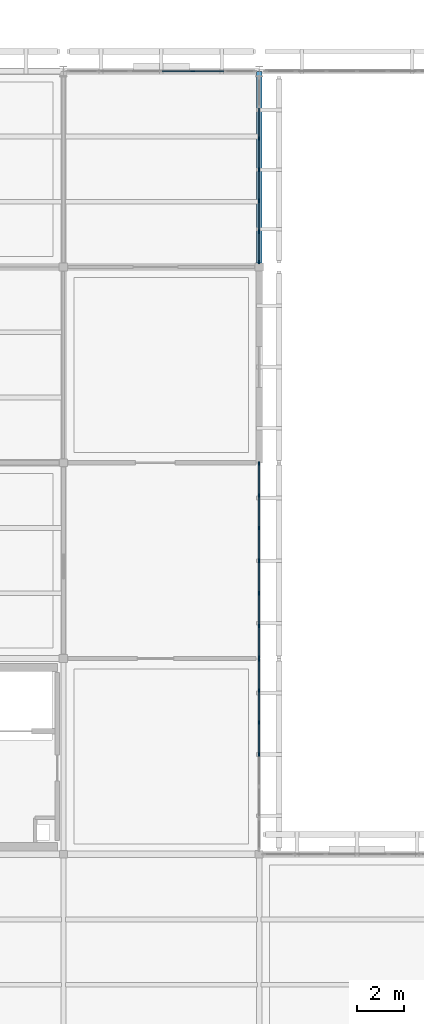
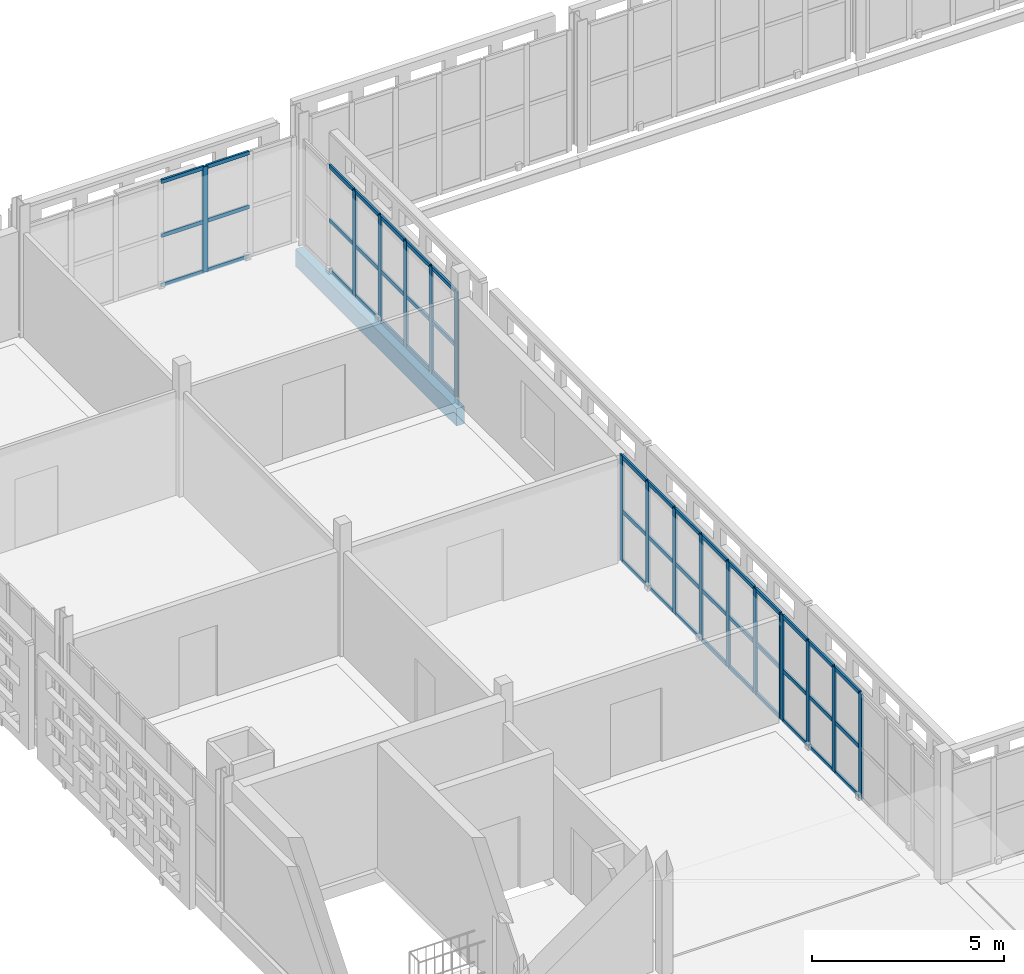
# One storey, part 58 of 140: 65 members, 1 beam, 4 elements without a shape of their own.
"""IFC4 building model written with IfcOpenShell, lengths in metres."""

import ifcopenshell
import ifcopenshell.guid

model = None  # the IFC model being written
_history = None  # IfcOwnerHistory: only IFC2X3 demands one
_inside = {}  # id of a spatial element -> (the spatial element, [elements in it])
_under = {}  # id of a project, library or spatial element -> (it, [spatial elements below it])
_declared = {}  # id of a project -> (the project, [libraries it declares])
_typed = {}  # id of a type object -> (the type object, [elements of that type])
_made_of = {}  # id of a material, layer set ... -> (it, [elements and type objects made of it])


def new_model(schema):
    """Start an empty IFC model of exactly this schema.

    Asked for "IFC4X3", IfcOpenShell would pick the latest addendum, in which some entities
    have other attributes; the version numbers below select the first issue.
    IFC2X3 requires an IfcOwnerHistory on every rooted entity: one is made here for all.
    """
    global model, _history
    if schema == "IFC4X3":
        model = ifcopenshell.file(schema_version=(4, 3, 0, 0))
    else:
        model = ifcopenshell.file(schema=schema)
    _inside.clear()
    _under.clear()
    _declared.clear()
    _typed.clear()
    _made_of.clear()
    _history = None
    if model.schema == "IFC2X3":
        org = make("IfcOrganization", Name="unknown")
        user = make(
            "IfcPersonAndOrganization",
            ThePerson=make("IfcPerson", FamilyName="unknown"),
            TheOrganization=org,
        )
        app = make(
            "IfcApplication",
            ApplicationDeveloper=org,
            Version="unknown",
            ApplicationFullName="unknown",
            ApplicationIdentifier="unknown",
        )
        _history = make(
            "IfcOwnerHistory",
            OwningUser=user,
            OwningApplication=app,
            ChangeAction="ADDED",
            CreationDate=0,
        )
    return model


def make(cls, **values):
    """One entity of the class cls with the attributes given. An attribute that is None is left unset."""
    return model.create_entity(
        cls, **{name: value for name, value in values.items() if value is not None}
    )


def rooted(cls, **values):
    """An entity with a GlobalId (a new one), such as an element, a storey or a relation."""
    return make(cls, GlobalId=ifcopenshell.guid.new(), OwnerHistory=_history, **values)


def si_unit(unit_type, name, prefix=None):
    """IfcSIUnit, for example si_unit("LENGTHUNIT", "METRE", prefix="MILLI")."""
    return make("IfcSIUnit", UnitType=unit_type, Prefix=prefix, Name=name)


def assignment(units):
    """IfcUnitAssignment: the units of a project."""
    return None if units is None else make("IfcUnitAssignment", Units=units)


def point(xyz):
    """IfcCartesianPoint."""
    return None if xyz is None else make("IfcCartesianPoint", Coordinates=xyz)


def direction(xyz):
    """IfcDirection."""
    return None if xyz is None else make("IfcDirection", DirectionRatios=xyz)


def frame(location, z_axis=None, x_axis=None):
    """IfcAxis2Placement3D, a coordinate frame: its origin and axes. An axis left out is left unset."""
    return make(
        "IfcAxis2Placement3D",
        Location=point(location),
        Axis=direction(z_axis),
        RefDirection=direction(x_axis),
    )


def frame_2d(location, x_axis=None):
    """IfcAxis2Placement2D, a coordinate frame in the plane: its origin and x axis."""
    return make(
        "IfcAxis2Placement2D", Location=point(location), RefDirection=direction(x_axis)
    )


def origin():
    """The frame at (0, 0, 0) with its axes left unset."""
    return frame((0.0, 0.0, 0.0))


def origin_2d():
    """The frame at (0, 0) in the plane with its x axis left unset."""
    return frame_2d((0.0, 0.0))


def place(relative_to, where):
    """IfcLocalPlacement: puts the frame where relative to a parent placement (None: the world)."""
    return make(
        "IfcLocalPlacement", PlacementRelTo=relative_to, RelativePlacement=where
    )


def context(
    kind, dimensions, precision=None, world=None, true_north=None, identifier=None
):
    """IfcGeometricRepresentationContext, for example the 3D "Model" context."""
    return make(
        "IfcGeometricRepresentationContext",
        ContextIdentifier=identifier,
        ContextType=kind,
        CoordinateSpaceDimension=dimensions,
        Precision=precision,
        WorldCoordinateSystem=world,
        TrueNorth=true_north,
    )


def subcontext(parent, identifier, kind, view, scale=None):
    """IfcGeometricRepresentationSubContext, for example "Body" below "Model"."""
    return make(
        "IfcGeometricRepresentationSubContext",
        ContextIdentifier=identifier,
        ContextType=kind,
        ParentContext=parent,
        TargetScale=scale,
        TargetView=view,
    )


def project(units=None, contexts=None):
    """IfcProject with its units and contexts."""
    return rooted(
        "IfcProject",
        Name="project",
        RepresentationContexts=contexts,
        UnitsInContext=assignment(units),
    )


def spatial(cls, under=None, at=None, **own):
    """A site, building, storey or space (cls), placed at a placement, below another one or the project."""
    s = rooted(cls, ObjectPlacement=at, **own)
    if under is not None:
        _under.setdefault(under.id(), (under, []))[1].append(s)
    return s


def profile(cls, at=None, kind="AREA", **sizes):
    """A parametric profile (cls). Its sizes go by their IFC names, for example OverallWidth=200.0."""
    return make(cls, ProfileType=kind, Position=at, **sizes)


def rectangle(**sizes):
    """IfcRectangleProfileDef."""
    return profile("IfcRectangleProfileDef", **sizes)


def extrude(swept, where, along, depth):
    """IfcExtrudedAreaSolid: the profile swept, set in the frame where, extruded along a direction by depth."""
    return make(
        "IfcExtrudedAreaSolid",
        SweptArea=swept,
        Position=where,
        ExtrudedDirection=direction(along),
        Depth=depth,
    )


def shape(context_of_items, identifier, shape_type, items):
    """IfcShapeRepresentation: the items that make up one representation, for example the "Body"."""
    return make(
        "IfcShapeRepresentation",
        ContextOfItems=context_of_items,
        RepresentationIdentifier=identifier,
        RepresentationType=shape_type,
        Items=items,
    )


def material(Name=None, Category=None):
    """IfcMaterial."""
    return make("IfcMaterial", Name=Name, Category=Category)


def layer(
    of_material, thickness, ventilated=None, Name=None, Category=None, Priority=None
):
    """IfcMaterialLayer: one layer of a wall or slab, of a material (None: an air gap)."""
    return make(
        "IfcMaterialLayer",
        Material=of_material,
        LayerThickness=thickness,
        IsVentilated=ventilated,
        Name=Name,
        Category=Category,
        Priority=Priority,
    )


def layer_set(layers, Name=None):
    """IfcMaterialLayerSet."""
    return make("IfcMaterialLayerSet", MaterialLayers=layers, LayerSetName=Name)


def material_profile(
    of_material, cross_section, Name=None, Category=None, Priority=None
):
    """IfcMaterialProfile: a cross section and its material."""
    return make(
        "IfcMaterialProfile",
        Name=Name,
        Material=of_material,
        Profile=cross_section,
        Priority=Priority,
        Category=Category,
    )


def profile_set(profiles, Name=None, composite=None):
    """IfcMaterialProfileSet."""
    return make(
        "IfcMaterialProfileSet",
        Name=Name,
        MaterialProfiles=profiles,
        CompositeProfile=composite,
    )


def made_of(thing, what):
    """Note that an element or type object is made of a material, layer set ...; save() writes the relation."""
    if what is not None:
        _made_of.setdefault(what.id(), (what, []))[1].append(thing)
    return thing


def type_object(cls, material=None, **own):
    """A type object (cls), such as IfcWallType, which elements share."""
    return made_of(rooted(cls, **own), material)


def element(
    cls,
    number,
    at=None,
    inside=None,
    cuts=None,
    type_object=None,
    material=None,
    context=None,
    identifier="Body",
    shape_type=None,
    held_by="IfcProductDefinitionShape",
    body=None,
    shapes=None,
    **own,
):
    """One element of the class cls, such as IfcWall. Its Tag is "e" and its number.

    at: its placement. inside: the storey or other place that contains it. cuts: it is an
    opening in that element (IfcRelVoidsElement). A single representation is given by context,
    identifier, shape_type and body (its items); several are given by shapes. held_by: the class
    of the entity that holds the representations. save() writes the other relations.
    """
    e = rooted(cls, Tag="e%d" % number, ObjectPlacement=at, **own)
    if body is not None:
        shapes = [shape(context, identifier, shape_type, body)]
    if shapes is not None:
        e.Representation = make(held_by, Representations=shapes)
    if inside is not None:
        _inside.setdefault(inside.id(), (inside, []))[1].append(e)
    if cuts is not None:
        rooted(
            "IfcRelVoidsElement", RelatingBuildingElement=cuts, RelatedOpeningElement=e
        )
    if type_object is not None:
        _typed.setdefault(type_object.id(), (type_object, []))[1].append(e)
    return made_of(e, material)


def aggregate(whole, parts):
    """IfcRelAggregates: a whole, such as a stair, and the parts it consists of."""
    return rooted("IfcRelAggregates", RelatingObject=whole, RelatedObjects=parts)


def save(model, path):
    """Write the relations noted so far, then the file.

    IfcRelAggregates (storeys below a building ...), IfcRelContainedInSpatialStructure (elements
    in a storey), IfcRelDefinesByType, IfcRelAssociatesMaterial and IfcRelDeclares: one each for
    every whole, place, type object, material and project.
    """
    for whole, parts in _under.values():
        aggregate(whole, parts)
    for where, things in _inside.values():
        rooted(
            "IfcRelContainedInSpatialStructure",
            RelatedElements=things,
            RelatingStructure=where,
        )
    for kind, things in _typed.values():
        rooted("IfcRelDefinesByType", RelatedObjects=things, RelatingType=kind)
    for what, things in _made_of.values():
        rooted("IfcRelAssociatesMaterial", RelatedObjects=things, RelatingMaterial=what)
    for by, libraries in _declared.values():
        rooted("IfcRelDeclares", RelatingContext=by, RelatedDefinitions=libraries)
    model.write(path)


model = new_model("IFC4")

# Units and contexts
model_context = context("Model", 3, precision=1e-05, world=origin(), true_north=direction((0.0, 1.0)))
body_context = subcontext(model_context, "Body", "Model", "MODEL_VIEW")
ifc_project = project(units=[si_unit("LENGTHUNIT", "METRE"), si_unit("AREAUNIT", "SQUARE_METRE"), si_unit("VOLUMEUNIT", "CUBIC_METRE"), si_unit("PLANEANGLEUNIT", "RADIAN"), si_unit("MASSUNIT", "GRAM", prefix="KILO")], contexts=[model_context])

# Site, building, storey
site_placement = place(None, origin())
site = spatial("IfcSite", under=ifc_project, at=site_placement, CompositionType="ELEMENT")
building_placement = place(site_placement, origin())
building = spatial("IfcBuilding", under=site, at=building_placement, Name="Varnapada Polytechnic", CompositionType="ELEMENT")
storey_placement = place(building_placement, frame((0.0, 0.0, 13.800048828125)))
storey = spatial("IfcBuildingStorey", under=building, at=storey_placement, Name="L03", CompositionType="ELEMENT", Elevation=13.800048828125)

# Curtain wall, members
ifc_material_1 = material(Name="Double low-E laminated glass", Category="glass")
ifc_layer = layer(ifc_material_1, 0.159912109375)
ifc_layer_set = layer_set([ifc_layer], Name="Double low-E laminated glass")
curtain_wall_type = type_object("IfcCurtainWallType", Name="Curtain Wall CW-02", PredefinedType="NOTDEFINED", material=ifc_layer_set)
curtain_wall_1_placement = place(storey_placement, origin())
curtain_wall_1 = element("IfcCurtainWall", 1, at=curtain_wall_1_placement, inside=storey, type_object=curtain_wall_type, Name="L03 unitised curtain wall CW-02 (230)", PredefinedType="NOTDEFINED")
ifc_material_2 = material(Name="Anodised aluminium", Category="aluminium")
ifc_material_profile_1 = material_profile(ifc_material_2, rectangle(XDim=0.06005859375, YDim=0.159912109375, at=origin_2d()), Name="ALU M60x160")
ifc_profile_set_1 = profile_set([ifc_material_profile_1], Name="Anodised aluminium")
member_type_1 = type_object("IfcMemberType", Name="Mullion M-01", PredefinedType="MULLION", material=ifc_profile_set_1)
member_1_placement = place(storey_placement, frame((67.199951171875, 100.77001953125, 0.0), z_axis=(0.0, 0.0, 1.0), x_axis=(1.0, 0.0, 0.0)))
member_1 = element("IfcMember", 2, at=member_1_placement, type_object=member_type_1, Name="CW-02 mullion 1", PredefinedType="MULLION", context=body_context, shape_type="SweptSolid", body=[
    extrude(rectangle(XDim=0.06005859375, YDim=0.159912109375, at=origin_2d()), origin(), (0.0, 0.0, 1.0), 3.35986328125),
])
member_2_placement = place(storey_placement, frame((67.199951171875, 99.42822265625, 0.0), z_axis=(0.0, 0.0, 1.0), x_axis=(1.0, 0.0, 0.0)))
member_2 = element("IfcMember", 3, at=member_2_placement, type_object=member_type_1, Name="CW-02 mullion 2", PredefinedType="MULLION", context=body_context, shape_type="SweptSolid", body=[
    extrude(rectangle(XDim=0.06005859375, YDim=0.159912109375, at=origin_2d()), origin(), (0.0, 0.0, 1.0), 3.35986328125),
])
member_3_placement = place(storey_placement, frame((67.199951171875, 98.056640625, 0.0), z_axis=(0.0, 0.0, 1.0), x_axis=(1.0, 0.0, 0.0)))
member_3 = element("IfcMember", 4, at=member_3_placement, type_object=member_type_1, Name="CW-02 mullion 3", PredefinedType="MULLION", context=body_context, shape_type="SweptSolid", body=[
    extrude(rectangle(XDim=0.06005859375, YDim=0.159912109375, at=origin_2d()), origin(), (0.0, 0.0, 1.0), 3.35986328125),
])
member_4_placement = place(storey_placement, frame((67.199951171875, 96.68505859375, 0.0), z_axis=(0.0, 0.0, 1.0), x_axis=(1.0, 0.0, 0.0)))
member_4 = element("IfcMember", 5, at=member_4_placement, type_object=member_type_1, Name="CW-02 mullion 4", PredefinedType="MULLION", context=body_context, shape_type="SweptSolid", body=[
    extrude(rectangle(XDim=0.06005859375, YDim=0.159912109375, at=origin_2d()), origin(), (0.0, 0.0, 1.0), 3.35986328125),
])

curtain_wall_2_placement = place(storey_placement, origin())
curtain_wall_2 = element("IfcCurtainWall", 6, at=curtain_wall_2_placement, inside=storey, type_object=curtain_wall_type, Name="L03 unitised curtain wall CW-02 (231)", PredefinedType="NOTDEFINED")
member_5_placement = place(storey_placement, frame((67.199951171875, 109.169921875, 0.0), z_axis=(0.0, 0.0, 1.0), x_axis=(1.0, 0.0, 0.0)))
member_5 = element("IfcMember", 7, at=member_5_placement, type_object=member_type_1, Name="CW-02 mullion 1", PredefinedType="MULLION", context=body_context, shape_type="SweptSolid", body=[
    extrude(rectangle(XDim=0.06005859375, YDim=0.159912109375, at=origin_2d()), origin(), (0.0, 0.0, 1.0), 3.35986328125),
])
member_6_placement = place(storey_placement, frame((67.199951171875, 107.800048828125, 0.0), z_axis=(0.0, 0.0, 1.0), x_axis=(1.0, 0.0, 0.0)))
member_6 = element("IfcMember", 8, at=member_6_placement, type_object=member_type_1, Name="CW-02 mullion 2", PredefinedType="MULLION", context=body_context, shape_type="SweptSolid", body=[
    extrude(rectangle(XDim=0.06005859375, YDim=0.159912109375, at=origin_2d()), origin(), (0.0, 0.0, 1.0), 3.35986328125),
])
member_7_placement = place(storey_placement, frame((67.199951171875, 106.39990234375, 0.0), z_axis=(0.0, 0.0, 1.0), x_axis=(1.0, 0.0, 0.0)))
member_7 = element("IfcMember", 9, at=member_7_placement, type_object=member_type_1, Name="CW-02 mullion 3", PredefinedType="MULLION", context=body_context, shape_type="SweptSolid", body=[
    extrude(rectangle(XDim=0.06005859375, YDim=0.159912109375, at=origin_2d()), origin(), (0.0, 0.0, 1.0), 3.35986328125),
])
member_8_placement = place(storey_placement, frame((67.199951171875, 105.0, 0.0), z_axis=(0.0, 0.0, 1.0), x_axis=(1.0, 0.0, 0.0)))
member_8 = element("IfcMember", 10, at=member_8_placement, type_object=member_type_1, Name="CW-02 mullion 4", PredefinedType="MULLION", context=body_context, shape_type="SweptSolid", body=[
    extrude(rectangle(XDim=0.06005859375, YDim=0.159912109375, at=origin_2d()), origin(), (0.0, 0.0, 1.0), 3.35986328125),
])
member_9_placement = place(storey_placement, frame((67.199951171875, 103.60009765625, 0.0), z_axis=(0.0, 0.0, 1.0), x_axis=(1.0, 0.0, 0.0)))
member_9 = element("IfcMember", 11, at=member_9_placement, type_object=member_type_1, Name="CW-02 mullion 5", PredefinedType="MULLION", context=body_context, shape_type="SweptSolid", body=[
    extrude(rectangle(XDim=0.06005859375, YDim=0.159912109375, at=origin_2d()), origin(), (0.0, 0.0, 1.0), 3.35986328125),
])
member_10_placement = place(storey_placement, frame((67.199951171875, 102.199951171875, 0.0), z_axis=(0.0, 0.0, 1.0), x_axis=(1.0, 0.0, 0.0)))
member_10 = element("IfcMember", 12, at=member_10_placement, type_object=member_type_1, Name="CW-02 mullion 6", PredefinedType="MULLION", context=body_context, shape_type="SweptSolid", body=[
    extrude(rectangle(XDim=0.06005859375, YDim=0.159912109375, at=origin_2d()), origin(), (0.0, 0.0, 1.0), 3.35986328125),
])
member_11_placement = place(storey_placement, frame((67.199951171875, 100.830078125, 0.0), z_axis=(0.0, 0.0, 1.0), x_axis=(1.0, 0.0, 0.0)))
member_11 = element("IfcMember", 13, at=member_11_placement, type_object=member_type_1, Name="CW-02 mullion 7", PredefinedType="MULLION", context=body_context, shape_type="SweptSolid", body=[
    extrude(rectangle(XDim=0.06005859375, YDim=0.159912109375, at=origin_2d()), origin(), (0.0, 0.0, 1.0), 3.35986328125),
])

# Curtain wall, member
curtain_wall_3_placement = place(storey_placement, origin())
curtain_wall_3 = element("IfcCurtainWall", 14, at=curtain_wall_3_placement, inside=storey, type_object=curtain_wall_type, Name="L03 unitised curtain wall CW-02 (232)", PredefinedType="NOTDEFINED")
member_12_placement = place(storey_placement, frame((64.35009765625, 126.0, 0.0), z_axis=(0.0, 0.0, 1.0), x_axis=(0.0, 1.0, 0.0)))
member_12 = element("IfcMember", 15, at=member_12_placement, type_object=member_type_1, Name="CW-02 mullion 5", PredefinedType="MULLION", context=body_context, shape_type="SweptSolid", body=[
    extrude(rectangle(XDim=0.06005859375, YDim=0.159912109375, at=origin_2d()), origin(), (0.0, 0.0, 1.0), 3.35986328125),
])

# Curtain wall, members
curtain_wall_4_placement = place(storey_placement, origin())
curtain_wall_4 = element("IfcCurtainWall", 16, at=curtain_wall_4_placement, inside=storey, type_object=curtain_wall_type, Name="L03 unitised curtain wall CW-02 (233)", PredefinedType="NOTDEFINED")
member_13_placement = place(storey_placement, frame((67.199951171875, 123.110107421875, 0.0), z_axis=(0.0, 0.0, 1.0), x_axis=(1.0, 0.0, 0.0)))
member_13 = element("IfcMember", 17, at=member_13_placement, type_object=member_type_1, Name="CW-02 mullion 3", PredefinedType="MULLION", context=body_context, shape_type="SweptSolid", body=[
    extrude(rectangle(XDim=0.06005859375, YDim=0.159912109375, at=origin_2d()), origin(), (0.0, 0.0, 1.0), 3.35986328125),
])
member_14_placement = place(storey_placement, frame((67.199951171875, 121.777587890625, 0.0), z_axis=(0.0, 0.0, 1.0), x_axis=(1.0, 0.0, 0.0)))
member_14 = element("IfcMember", 18, at=member_14_placement, type_object=member_type_1, Name="CW-02 mullion 4", PredefinedType="MULLION", context=body_context, shape_type="SweptSolid", body=[
    extrude(rectangle(XDim=0.06005859375, YDim=0.159912109375, at=origin_2d()), origin(), (0.0, 0.0, 1.0), 3.35986328125),
])
member_15_placement = place(storey_placement, frame((67.199951171875, 120.445068359375, 0.0), z_axis=(0.0, 0.0, 1.0), x_axis=(1.0, 0.0, 0.0)))
member_15 = element("IfcMember", 19, at=member_15_placement, type_object=member_type_1, Name="CW-02 mullion 5", PredefinedType="MULLION", context=body_context, shape_type="SweptSolid", body=[
    extrude(rectangle(XDim=0.06005859375, YDim=0.159912109375, at=origin_2d()), origin(), (0.0, 0.0, 1.0), 3.35986328125),
])
member_16_placement = place(storey_placement, frame((67.199951171875, 119.112548828125, 0.0), z_axis=(0.0, 0.0, 1.0), x_axis=(1.0, 0.0, 0.0)))
member_16 = element("IfcMember", 20, at=member_16_placement, type_object=member_type_1, Name="CW-02 mullion 6", PredefinedType="MULLION", context=body_context, shape_type="SweptSolid", body=[
    extrude(rectangle(XDim=0.06005859375, YDim=0.159912109375, at=origin_2d()), origin(), (0.0, 0.0, 1.0), 3.35986328125),
])
member_17_placement = place(storey_placement, frame((67.199951171875, 117.81005859375, 0.0), z_axis=(0.0, 0.0, 1.0), x_axis=(1.0, 0.0, 0.0)))
member_17 = element("IfcMember", 21, at=member_17_placement, type_object=member_type_1, Name="CW-02 mullion 7", PredefinedType="MULLION", context=body_context, shape_type="SweptSolid", body=[
    extrude(rectangle(XDim=0.06005859375, YDim=0.159912109375, at=origin_2d()), origin(), (0.0, 0.0, 1.0), 3.35986328125),
])

# Beam
ifc_material_3 = material(Name="Glulam GL32h", Category="wood")
ifc_material_profile_2 = material_profile(ifc_material_3, rectangle(XDim=0.239990234375, YDim=0.56005859375, at=origin_2d()), Name="GL 240x560")
ifc_profile_set_2 = profile_set([ifc_material_profile_2], Name="Glulam GL32h")
beam_type = type_object("IfcBeamType", Name="Perimeter glulam spandrel beam SP-02 (GL 240x560)", PredefinedType="SPANDREL", material=ifc_profile_set_2)
beam_placement = place(storey_placement, frame((67.199951171875, 117.60009765625, -0.52001953125), z_axis=(0.0, 1.0, 0.0), x_axis=(-1.0, 0.0, 0.0)))
element("IfcBeam", 22, at=beam_placement, inside=storey, type_object=beam_type, Name="L03 beam Y 15-16 at X9", PredefinedType="SPANDREL", context=body_context, shape_type="SweptSolid", body=[
    extrude(rectangle(XDim=0.239990234375, YDim=0.56005859375, at=origin_2d()), origin(), (0.0, 0.0, 1.0), 8.39990234375),
])

# Member
ifc_material_profile_3 = material_profile(ifc_material_2, rectangle(XDim=0.06005859375, YDim=0.1201171875, at=origin_2d()), Name="ALU T60x120")
ifc_profile_set_3 = profile_set([ifc_material_profile_3], Name="Anodised aluminium")
member_type_2 = type_object("IfcMemberType", Name="Transom T-01", PredefinedType="USERDEFINED", material=ifc_profile_set_3)
member_18_placement = place(storey_placement, frame((67.199951171875, 100.739990234375, 0.030029296875), z_axis=(0.0, -1.0, 0.0), x_axis=(1.0, 0.0, 0.0)))
member_18 = element("IfcMember", 23, at=member_18_placement, type_object=member_type_2, Name="CW-02 transom 1.1", ObjectType="TRANSOM", PredefinedType="USERDEFINED", context=body_context, shape_type="SweptSolid", body=[
    extrude(rectangle(XDim=0.06005859375, YDim=0.1201171875, at=origin_2d()), origin(), (0.0, 0.0, 1.0), 1.28173828125),
])

member_19_placement = place(storey_placement, frame((67.199951171875, 100.739990234375, 1.61279296875), z_axis=(0.0, -1.0, 0.0), x_axis=(1.0, 0.0, 0.0)))
member_19 = element("IfcMember", 24, at=member_19_placement, type_object=member_type_2, Name="CW-02 transom 1.2", ObjectType="TRANSOM", PredefinedType="USERDEFINED", context=body_context, shape_type="SweptSolid", body=[
    extrude(rectangle(XDim=0.06005859375, YDim=0.1201171875, at=origin_2d()), origin(), (0.0, 0.0, 1.0), 1.28173828125),
])

member_20_placement = place(storey_placement, frame((67.199951171875, 100.739990234375, 3.329833984375), z_axis=(0.0, -1.0, 0.0), x_axis=(1.0, 0.0, 0.0)))
member_20 = element("IfcMember", 25, at=member_20_placement, type_object=member_type_2, Name="CW-02 transom 1.3", ObjectType="TRANSOM", PredefinedType="USERDEFINED", context=body_context, shape_type="SweptSolid", body=[
    extrude(rectangle(XDim=0.06005859375, YDim=0.1201171875, at=origin_2d()), origin(), (0.0, 0.0, 1.0), 1.28173828125),
])

member_21_placement = place(storey_placement, frame((67.199951171875, 99.3984375, 0.030029296875), z_axis=(0.0, -1.0, 0.0), x_axis=(1.0, 0.0, 0.0)))
member_21 = element("IfcMember", 26, at=member_21_placement, type_object=member_type_2, Name="CW-02 transom 2.1", ObjectType="TRANSOM", PredefinedType="USERDEFINED", context=body_context, shape_type="SweptSolid", body=[
    extrude(rectangle(XDim=0.06005859375, YDim=0.1201171875, at=origin_2d()), origin(), (0.0, 0.0, 1.0), 1.311767578125),
])

member_22_placement = place(storey_placement, frame((67.199951171875, 99.3984375, 1.61279296875), z_axis=(0.0, -1.0, 0.0), x_axis=(1.0, 0.0, 0.0)))
member_22 = element("IfcMember", 27, at=member_22_placement, type_object=member_type_2, Name="CW-02 transom 2.2", ObjectType="TRANSOM", PredefinedType="USERDEFINED", context=body_context, shape_type="SweptSolid", body=[
    extrude(rectangle(XDim=0.06005859375, YDim=0.1201171875, at=origin_2d()), origin(), (0.0, 0.0, 1.0), 1.311767578125),
])

member_23_placement = place(storey_placement, frame((67.199951171875, 99.3984375, 3.329833984375), z_axis=(0.0, -1.0, 0.0), x_axis=(1.0, 0.0, 0.0)))
member_23 = element("IfcMember", 28, at=member_23_placement, type_object=member_type_2, Name="CW-02 transom 2.3", ObjectType="TRANSOM", PredefinedType="USERDEFINED", context=body_context, shape_type="SweptSolid", body=[
    extrude(rectangle(XDim=0.06005859375, YDim=0.1201171875, at=origin_2d()), origin(), (0.0, 0.0, 1.0), 1.311767578125),
])

member_24_placement = place(storey_placement, frame((67.199951171875, 98.026611328125, 0.030029296875), z_axis=(0.0, -1.0, 0.0), x_axis=(1.0, 0.0, 0.0)))
member_24 = element("IfcMember", 29, at=member_24_placement, type_object=member_type_2, Name="CW-02 transom 3.1", ObjectType="TRANSOM", PredefinedType="USERDEFINED", context=body_context, shape_type="SweptSolid", body=[
    extrude(rectangle(XDim=0.06005859375, YDim=0.1201171875, at=origin_2d()), origin(), (0.0, 0.0, 1.0), 1.3115234375),
])

member_25_placement = place(storey_placement, frame((67.199951171875, 98.026611328125, 1.61279296875), z_axis=(0.0, -1.0, 0.0), x_axis=(1.0, 0.0, 0.0)))
member_25 = element("IfcMember", 30, at=member_25_placement, type_object=member_type_2, Name="CW-02 transom 3.2", ObjectType="TRANSOM", PredefinedType="USERDEFINED", context=body_context, shape_type="SweptSolid", body=[
    extrude(rectangle(XDim=0.06005859375, YDim=0.1201171875, at=origin_2d()), origin(), (0.0, 0.0, 1.0), 1.3115234375),
])

member_26_placement = place(storey_placement, frame((67.199951171875, 98.026611328125, 3.329833984375), z_axis=(0.0, -1.0, 0.0), x_axis=(1.0, 0.0, 0.0)))
member_26 = element("IfcMember", 31, at=member_26_placement, type_object=member_type_2, Name="CW-02 transom 3.3", ObjectType="TRANSOM", PredefinedType="USERDEFINED", context=body_context, shape_type="SweptSolid", body=[
    extrude(rectangle(XDim=0.06005859375, YDim=0.1201171875, at=origin_2d()), origin(), (0.0, 0.0, 1.0), 1.3115234375),
])

aggregate(curtain_wall_1, [member_1, member_2, member_3, member_4, member_18, member_19, member_20, member_21, member_22, member_23, member_24, member_25, member_26])

member_27_placement = place(storey_placement, frame((67.199951171875, 109.139892578125, 0.030029296875), z_axis=(0.0, -1.0, 0.0), x_axis=(1.0, 0.0, 0.0)))
member_27 = element("IfcMember", 32, at=member_27_placement, type_object=member_type_2, Name="CW-02 transom 1.1", ObjectType="TRANSOM", PredefinedType="USERDEFINED", context=body_context, shape_type="SweptSolid", body=[
    extrude(rectangle(XDim=0.06005859375, YDim=0.1201171875, at=origin_2d()), origin(), (0.0, 0.0, 1.0), 1.309814453125),
])

member_28_placement = place(storey_placement, frame((67.199951171875, 109.139892578125, 1.61279296875), z_axis=(0.0, -1.0, 0.0), x_axis=(1.0, 0.0, 0.0)))
member_28 = element("IfcMember", 33, at=member_28_placement, type_object=member_type_2, Name="CW-02 transom 1.2", ObjectType="TRANSOM", PredefinedType="USERDEFINED", context=body_context, shape_type="SweptSolid", body=[
    extrude(rectangle(XDim=0.06005859375, YDim=0.1201171875, at=origin_2d()), origin(), (0.0, 0.0, 1.0), 1.309814453125),
])

member_29_placement = place(storey_placement, frame((67.199951171875, 109.139892578125, 3.329833984375), z_axis=(0.0, -1.0, 0.0), x_axis=(1.0, 0.0, 0.0)))
member_29 = element("IfcMember", 34, at=member_29_placement, type_object=member_type_2, Name="CW-02 transom 1.3", ObjectType="TRANSOM", PredefinedType="USERDEFINED", context=body_context, shape_type="SweptSolid", body=[
    extrude(rectangle(XDim=0.06005859375, YDim=0.1201171875, at=origin_2d()), origin(), (0.0, 0.0, 1.0), 1.309814453125),
])

member_30_placement = place(storey_placement, frame((67.199951171875, 107.77001953125, 0.030029296875), z_axis=(0.0, -1.0, 0.0), x_axis=(1.0, 0.0, 0.0)))
member_30 = element("IfcMember", 35, at=member_30_placement, type_object=member_type_2, Name="CW-02 transom 2.1", ObjectType="TRANSOM", PredefinedType="USERDEFINED", context=body_context, shape_type="SweptSolid", body=[
    extrude(rectangle(XDim=0.06005859375, YDim=0.1201171875, at=origin_2d()), origin(), (0.0, 0.0, 1.0), 1.340087890625),
])

member_31_placement = place(storey_placement, frame((67.199951171875, 107.77001953125, 1.61279296875), z_axis=(0.0, -1.0, 0.0), x_axis=(1.0, 0.0, 0.0)))
member_31 = element("IfcMember", 36, at=member_31_placement, type_object=member_type_2, Name="CW-02 transom 2.2", ObjectType="TRANSOM", PredefinedType="USERDEFINED", context=body_context, shape_type="SweptSolid", body=[
    extrude(rectangle(XDim=0.06005859375, YDim=0.1201171875, at=origin_2d()), origin(), (0.0, 0.0, 1.0), 1.340087890625),
])

member_32_placement = place(storey_placement, frame((67.199951171875, 107.77001953125, 3.329833984375), z_axis=(0.0, -1.0, 0.0), x_axis=(1.0, 0.0, 0.0)))
member_32 = element("IfcMember", 37, at=member_32_placement, type_object=member_type_2, Name="CW-02 transom 2.3", ObjectType="TRANSOM", PredefinedType="USERDEFINED", context=body_context, shape_type="SweptSolid", body=[
    extrude(rectangle(XDim=0.06005859375, YDim=0.1201171875, at=origin_2d()), origin(), (0.0, 0.0, 1.0), 1.340087890625),
])

member_33_placement = place(storey_placement, frame((67.199951171875, 106.3701171875, 0.030029296875), z_axis=(0.0, -1.0, 0.0), x_axis=(1.0, 0.0, 0.0)))
member_33 = element("IfcMember", 38, at=member_33_placement, type_object=member_type_2, Name="CW-02 transom 3.1", ObjectType="TRANSOM", PredefinedType="USERDEFINED", context=body_context, shape_type="SweptSolid", body=[
    extrude(rectangle(XDim=0.06005859375, YDim=0.1201171875, at=origin_2d()), origin(), (0.0, 0.0, 1.0), 1.340087890625),
])

member_34_placement = place(storey_placement, frame((67.199951171875, 106.3701171875, 1.61279296875), z_axis=(0.0, -1.0, 0.0), x_axis=(1.0, 0.0, 0.0)))
member_34 = element("IfcMember", 39, at=member_34_placement, type_object=member_type_2, Name="CW-02 transom 3.2", ObjectType="TRANSOM", PredefinedType="USERDEFINED", context=body_context, shape_type="SweptSolid", body=[
    extrude(rectangle(XDim=0.06005859375, YDim=0.1201171875, at=origin_2d()), origin(), (0.0, 0.0, 1.0), 1.340087890625),
])

member_35_placement = place(storey_placement, frame((67.199951171875, 106.3701171875, 3.329833984375), z_axis=(0.0, -1.0, 0.0), x_axis=(1.0, 0.0, 0.0)))
member_35 = element("IfcMember", 40, at=member_35_placement, type_object=member_type_2, Name="CW-02 transom 3.3", ObjectType="TRANSOM", PredefinedType="USERDEFINED", context=body_context, shape_type="SweptSolid", body=[
    extrude(rectangle(XDim=0.06005859375, YDim=0.1201171875, at=origin_2d()), origin(), (0.0, 0.0, 1.0), 1.340087890625),
])

member_36_placement = place(storey_placement, frame((67.199951171875, 104.969970703125, 0.030029296875), z_axis=(0.0, -1.0, 0.0), x_axis=(1.0, 0.0, 0.0)))
member_36 = element("IfcMember", 41, at=member_36_placement, type_object=member_type_2, Name="CW-02 transom 4.1", ObjectType="TRANSOM", PredefinedType="USERDEFINED", context=body_context, shape_type="SweptSolid", body=[
    extrude(rectangle(XDim=0.06005859375, YDim=0.1201171875, at=origin_2d()), origin(), (0.0, 0.0, 1.0), 1.340087890625),
])

member_37_placement = place(storey_placement, frame((67.199951171875, 104.969970703125, 1.61279296875), z_axis=(0.0, -1.0, 0.0), x_axis=(1.0, 0.0, 0.0)))
member_37 = element("IfcMember", 42, at=member_37_placement, type_object=member_type_2, Name="CW-02 transom 4.2", ObjectType="TRANSOM", PredefinedType="USERDEFINED", context=body_context, shape_type="SweptSolid", body=[
    extrude(rectangle(XDim=0.06005859375, YDim=0.1201171875, at=origin_2d()), origin(), (0.0, 0.0, 1.0), 1.340087890625),
])

member_38_placement = place(storey_placement, frame((67.199951171875, 104.969970703125, 3.329833984375), z_axis=(0.0, -1.0, 0.0), x_axis=(1.0, 0.0, 0.0)))
member_38 = element("IfcMember", 43, at=member_38_placement, type_object=member_type_2, Name="CW-02 transom 4.3", ObjectType="TRANSOM", PredefinedType="USERDEFINED", context=body_context, shape_type="SweptSolid", body=[
    extrude(rectangle(XDim=0.06005859375, YDim=0.1201171875, at=origin_2d()), origin(), (0.0, 0.0, 1.0), 1.340087890625),
])

member_39_placement = place(storey_placement, frame((67.199951171875, 103.570068359375, 0.030029296875), z_axis=(0.0, -1.0, 0.0), x_axis=(1.0, 0.0, 0.0)))
member_39 = element("IfcMember", 44, at=member_39_placement, type_object=member_type_2, Name="CW-02 transom 5.1", ObjectType="TRANSOM", PredefinedType="USERDEFINED", context=body_context, shape_type="SweptSolid", body=[
    extrude(rectangle(XDim=0.06005859375, YDim=0.1201171875, at=origin_2d()), origin(), (0.0, 0.0, 1.0), 1.340087890625),
])

member_40_placement = place(storey_placement, frame((67.199951171875, 103.570068359375, 1.61279296875), z_axis=(0.0, -1.0, 0.0), x_axis=(1.0, 0.0, 0.0)))
member_40 = element("IfcMember", 45, at=member_40_placement, type_object=member_type_2, Name="CW-02 transom 5.2", ObjectType="TRANSOM", PredefinedType="USERDEFINED", context=body_context, shape_type="SweptSolid", body=[
    extrude(rectangle(XDim=0.06005859375, YDim=0.1201171875, at=origin_2d()), origin(), (0.0, 0.0, 1.0), 1.340087890625),
])

member_41_placement = place(storey_placement, frame((67.199951171875, 103.570068359375, 3.329833984375), z_axis=(0.0, -1.0, 0.0), x_axis=(1.0, 0.0, 0.0)))
member_41 = element("IfcMember", 46, at=member_41_placement, type_object=member_type_2, Name="CW-02 transom 5.3", ObjectType="TRANSOM", PredefinedType="USERDEFINED", context=body_context, shape_type="SweptSolid", body=[
    extrude(rectangle(XDim=0.06005859375, YDim=0.1201171875, at=origin_2d()), origin(), (0.0, 0.0, 1.0), 1.340087890625),
])

member_42_placement = place(storey_placement, frame((67.199951171875, 102.169921875, 0.030029296875), z_axis=(0.0, -1.0, 0.0), x_axis=(1.0, 0.0, 0.0)))
member_42 = element("IfcMember", 47, at=member_42_placement, type_object=member_type_2, Name="CW-02 transom 6.1", ObjectType="TRANSOM", PredefinedType="USERDEFINED", context=body_context, shape_type="SweptSolid", body=[
    extrude(rectangle(XDim=0.06005859375, YDim=0.1201171875, at=origin_2d()), origin(), (0.0, 0.0, 1.0), 1.309814453125),
])

member_43_placement = place(storey_placement, frame((67.199951171875, 102.169921875, 1.61279296875), z_axis=(0.0, -1.0, 0.0), x_axis=(1.0, 0.0, 0.0)))
member_43 = element("IfcMember", 48, at=member_43_placement, type_object=member_type_2, Name="CW-02 transom 6.2", ObjectType="TRANSOM", PredefinedType="USERDEFINED", context=body_context, shape_type="SweptSolid", body=[
    extrude(rectangle(XDim=0.06005859375, YDim=0.1201171875, at=origin_2d()), origin(), (0.0, 0.0, 1.0), 1.309814453125),
])

member_44_placement = place(storey_placement, frame((67.199951171875, 102.169921875, 3.329833984375), z_axis=(0.0, -1.0, 0.0), x_axis=(1.0, 0.0, 0.0)))
member_44 = element("IfcMember", 49, at=member_44_placement, type_object=member_type_2, Name="CW-02 transom 6.3", ObjectType="TRANSOM", PredefinedType="USERDEFINED", context=body_context, shape_type="SweptSolid", body=[
    extrude(rectangle(XDim=0.06005859375, YDim=0.1201171875, at=origin_2d()), origin(), (0.0, 0.0, 1.0), 1.309814453125),
])

aggregate(curtain_wall_2, [member_5, member_6, member_7, member_8, member_9, member_10, member_11, member_27, member_28, member_29, member_30, member_31, member_32, member_33, member_34, member_35, member_36, member_37, member_38, member_39, member_40, member_41, member_42, member_43, member_44])

member_45_placement = place(storey_placement, frame((63.030029296875, 126.0, 0.030029296875), z_axis=(1.0, 0.0, 0.0), x_axis=(0.0, 1.0, 0.0)))
member_45 = element("IfcMember", 50, at=member_45_placement, type_object=member_type_2, Name="CW-02 transom 4.1", ObjectType="TRANSOM", PredefinedType="USERDEFINED", context=body_context, shape_type="SweptSolid", body=[
    extrude(rectangle(XDim=0.06005859375, YDim=0.1201171875, at=origin_2d()), origin(), (0.0, 0.0, 1.0), 1.2900390625),
])

member_46_placement = place(storey_placement, frame((63.030029296875, 126.0, 1.61279296875), z_axis=(1.0, 0.0, 0.0), x_axis=(0.0, 1.0, 0.0)))
member_46 = element("IfcMember", 51, at=member_46_placement, type_object=member_type_2, Name="CW-02 transom 4.2", ObjectType="TRANSOM", PredefinedType="USERDEFINED", context=body_context, shape_type="SweptSolid", body=[
    extrude(rectangle(XDim=0.06005859375, YDim=0.1201171875, at=origin_2d()), origin(), (0.0, 0.0, 1.0), 1.2900390625),
])

member_47_placement = place(storey_placement, frame((63.030029296875, 126.0, 3.329833984375), z_axis=(1.0, 0.0, 0.0), x_axis=(0.0, 1.0, 0.0)))
member_47 = element("IfcMember", 52, at=member_47_placement, type_object=member_type_2, Name="CW-02 transom 4.3", ObjectType="TRANSOM", PredefinedType="USERDEFINED", context=body_context, shape_type="SweptSolid", body=[
    extrude(rectangle(XDim=0.06005859375, YDim=0.1201171875, at=origin_2d()), origin(), (0.0, 0.0, 1.0), 1.2900390625),
])

member_48_placement = place(storey_placement, frame((64.3798828125, 126.0, 0.030029296875), z_axis=(1.0, 0.0, 0.0), x_axis=(0.0, 1.0, 0.0)))
member_48 = element("IfcMember", 53, at=member_48_placement, type_object=member_type_2, Name="CW-02 transom 5.1", ObjectType="TRANSOM", PredefinedType="USERDEFINED", context=body_context, shape_type="SweptSolid", body=[
    extrude(rectangle(XDim=0.06005859375, YDim=0.1201171875, at=origin_2d()), origin(), (0.0, 0.0, 1.0), 1.2900390625),
])

member_49_placement = place(storey_placement, frame((64.3798828125, 126.0, 1.61279296875), z_axis=(1.0, 0.0, 0.0), x_axis=(0.0, 1.0, 0.0)))
member_49 = element("IfcMember", 54, at=member_49_placement, type_object=member_type_2, Name="CW-02 transom 5.2", ObjectType="TRANSOM", PredefinedType="USERDEFINED", context=body_context, shape_type="SweptSolid", body=[
    extrude(rectangle(XDim=0.06005859375, YDim=0.1201171875, at=origin_2d()), origin(), (0.0, 0.0, 1.0), 1.2900390625),
])

member_50_placement = place(storey_placement, frame((64.3798828125, 126.0, 3.329833984375), z_axis=(1.0, 0.0, 0.0), x_axis=(0.0, 1.0, 0.0)))
member_50 = element("IfcMember", 55, at=member_50_placement, type_object=member_type_2, Name="CW-02 transom 5.3", ObjectType="TRANSOM", PredefinedType="USERDEFINED", context=body_context, shape_type="SweptSolid", body=[
    extrude(rectangle(XDim=0.06005859375, YDim=0.1201171875, at=origin_2d()), origin(), (0.0, 0.0, 1.0), 1.2900390625),
])

aggregate(curtain_wall_3, [member_12, member_45, member_46, member_47, member_48, member_49, member_50])

member_51_placement = place(storey_placement, frame((67.199951171875, 124.41259765625, 0.030029296875), z_axis=(0.0, -1.0, 0.0), x_axis=(1.0, 0.0, 0.0)))
member_51 = element("IfcMember", 56, at=member_51_placement, type_object=member_type_2, Name="CW-02 transom 2.1", ObjectType="TRANSOM", PredefinedType="USERDEFINED", context=body_context, shape_type="SweptSolid", body=[
    extrude(rectangle(XDim=0.06005859375, YDim=0.1201171875, at=origin_2d()), origin(), (0.0, 0.0, 1.0), 1.272705078125),
])

member_52_placement = place(storey_placement, frame((67.199951171875, 124.41259765625, 1.61279296875), z_axis=(0.0, -1.0, 0.0), x_axis=(1.0, 0.0, 0.0)))
member_52 = element("IfcMember", 57, at=member_52_placement, type_object=member_type_2, Name="CW-02 transom 2.2", ObjectType="TRANSOM", PredefinedType="USERDEFINED", context=body_context, shape_type="SweptSolid", body=[
    extrude(rectangle(XDim=0.06005859375, YDim=0.1201171875, at=origin_2d()), origin(), (0.0, 0.0, 1.0), 1.272705078125),
])

member_53_placement = place(storey_placement, frame((67.199951171875, 124.41259765625, 3.329833984375), z_axis=(0.0, -1.0, 0.0), x_axis=(1.0, 0.0, 0.0)))
member_53 = element("IfcMember", 58, at=member_53_placement, type_object=member_type_2, Name="CW-02 transom 2.3", ObjectType="TRANSOM", PredefinedType="USERDEFINED", context=body_context, shape_type="SweptSolid", body=[
    extrude(rectangle(XDim=0.06005859375, YDim=0.1201171875, at=origin_2d()), origin(), (0.0, 0.0, 1.0), 1.272705078125),
])

member_54_placement = place(storey_placement, frame((67.199951171875, 123.080078125, 0.030029296875), z_axis=(0.0, -1.0, 0.0), x_axis=(1.0, 0.0, 0.0)))
member_54 = element("IfcMember", 59, at=member_54_placement, type_object=member_type_2, Name="CW-02 transom 3.1", ObjectType="TRANSOM", PredefinedType="USERDEFINED", context=body_context, shape_type="SweptSolid", body=[
    extrude(rectangle(XDim=0.06005859375, YDim=0.1201171875, at=origin_2d()), origin(), (0.0, 0.0, 1.0), 1.2724609375),
])

member_55_placement = place(storey_placement, frame((67.199951171875, 123.080078125, 1.61279296875), z_axis=(0.0, -1.0, 0.0), x_axis=(1.0, 0.0, 0.0)))
member_55 = element("IfcMember", 60, at=member_55_placement, type_object=member_type_2, Name="CW-02 transom 3.2", ObjectType="TRANSOM", PredefinedType="USERDEFINED", context=body_context, shape_type="SweptSolid", body=[
    extrude(rectangle(XDim=0.06005859375, YDim=0.1201171875, at=origin_2d()), origin(), (0.0, 0.0, 1.0), 1.2724609375),
])

member_56_placement = place(storey_placement, frame((67.199951171875, 123.080078125, 3.329833984375), z_axis=(0.0, -1.0, 0.0), x_axis=(1.0, 0.0, 0.0)))
member_56 = element("IfcMember", 61, at=member_56_placement, type_object=member_type_2, Name="CW-02 transom 3.3", ObjectType="TRANSOM", PredefinedType="USERDEFINED", context=body_context, shape_type="SweptSolid", body=[
    extrude(rectangle(XDim=0.06005859375, YDim=0.1201171875, at=origin_2d()), origin(), (0.0, 0.0, 1.0), 1.2724609375),
])

member_57_placement = place(storey_placement, frame((67.199951171875, 121.74755859375, 0.030029296875), z_axis=(0.0, -1.0, 0.0), x_axis=(1.0, 0.0, 0.0)))
member_57 = element("IfcMember", 62, at=member_57_placement, type_object=member_type_2, Name="CW-02 transom 4.1", ObjectType="TRANSOM", PredefinedType="USERDEFINED", context=body_context, shape_type="SweptSolid", body=[
    extrude(rectangle(XDim=0.06005859375, YDim=0.1201171875, at=origin_2d()), origin(), (0.0, 0.0, 1.0), 1.2724609375),
])

member_58_placement = place(storey_placement, frame((67.199951171875, 121.74755859375, 1.61279296875), z_axis=(0.0, -1.0, 0.0), x_axis=(1.0, 0.0, 0.0)))
member_58 = element("IfcMember", 63, at=member_58_placement, type_object=member_type_2, Name="CW-02 transom 4.2", ObjectType="TRANSOM", PredefinedType="USERDEFINED", context=body_context, shape_type="SweptSolid", body=[
    extrude(rectangle(XDim=0.06005859375, YDim=0.1201171875, at=origin_2d()), origin(), (0.0, 0.0, 1.0), 1.2724609375),
])

member_59_placement = place(storey_placement, frame((67.199951171875, 121.74755859375, 3.329833984375), z_axis=(0.0, -1.0, 0.0), x_axis=(1.0, 0.0, 0.0)))
member_59 = element("IfcMember", 64, at=member_59_placement, type_object=member_type_2, Name="CW-02 transom 4.3", ObjectType="TRANSOM", PredefinedType="USERDEFINED", context=body_context, shape_type="SweptSolid", body=[
    extrude(rectangle(XDim=0.06005859375, YDim=0.1201171875, at=origin_2d()), origin(), (0.0, 0.0, 1.0), 1.2724609375),
])

member_60_placement = place(storey_placement, frame((67.199951171875, 120.4150390625, 0.030029296875), z_axis=(0.0, -1.0, 0.0), x_axis=(1.0, 0.0, 0.0)))
member_60 = element("IfcMember", 65, at=member_60_placement, type_object=member_type_2, Name="CW-02 transom 5.1", ObjectType="TRANSOM", PredefinedType="USERDEFINED", context=body_context, shape_type="SweptSolid", body=[
    extrude(rectangle(XDim=0.06005859375, YDim=0.1201171875, at=origin_2d()), origin(), (0.0, 0.0, 1.0), 1.2724609375),
])

member_61_placement = place(storey_placement, frame((67.199951171875, 120.4150390625, 1.61279296875), z_axis=(0.0, -1.0, 0.0), x_axis=(1.0, 0.0, 0.0)))
member_61 = element("IfcMember", 66, at=member_61_placement, type_object=member_type_2, Name="CW-02 transom 5.2", ObjectType="TRANSOM", PredefinedType="USERDEFINED", context=body_context, shape_type="SweptSolid", body=[
    extrude(rectangle(XDim=0.06005859375, YDim=0.1201171875, at=origin_2d()), origin(), (0.0, 0.0, 1.0), 1.2724609375),
])

member_62_placement = place(storey_placement, frame((67.199951171875, 120.4150390625, 3.329833984375), z_axis=(0.0, -1.0, 0.0), x_axis=(1.0, 0.0, 0.0)))
member_62 = element("IfcMember", 67, at=member_62_placement, type_object=member_type_2, Name="CW-02 transom 5.3", ObjectType="TRANSOM", PredefinedType="USERDEFINED", context=body_context, shape_type="SweptSolid", body=[
    extrude(rectangle(XDim=0.06005859375, YDim=0.1201171875, at=origin_2d()), origin(), (0.0, 0.0, 1.0), 1.2724609375),
])

member_63_placement = place(storey_placement, frame((67.199951171875, 119.08251953125, 0.030029296875), z_axis=(0.0, -1.0, 0.0), x_axis=(1.0, 0.0, 0.0)))
member_63 = element("IfcMember", 68, at=member_63_placement, type_object=member_type_2, Name="CW-02 transom 6.1", ObjectType="TRANSOM", PredefinedType="USERDEFINED", context=body_context, shape_type="SweptSolid", body=[
    extrude(rectangle(XDim=0.06005859375, YDim=0.1201171875, at=origin_2d()), origin(), (0.0, 0.0, 1.0), 1.242431640625),
])

member_64_placement = place(storey_placement, frame((67.199951171875, 119.08251953125, 1.61279296875), z_axis=(0.0, -1.0, 0.0), x_axis=(1.0, 0.0, 0.0)))
member_64 = element("IfcMember", 69, at=member_64_placement, type_object=member_type_2, Name="CW-02 transom 6.2", ObjectType="TRANSOM", PredefinedType="USERDEFINED", context=body_context, shape_type="SweptSolid", body=[
    extrude(rectangle(XDim=0.06005859375, YDim=0.1201171875, at=origin_2d()), origin(), (0.0, 0.0, 1.0), 1.242431640625),
])

member_65_placement = place(storey_placement, frame((67.199951171875, 119.08251953125, 3.329833984375), z_axis=(0.0, -1.0, 0.0), x_axis=(1.0, 0.0, 0.0)))
member_65 = element("IfcMember", 70, at=member_65_placement, type_object=member_type_2, Name="CW-02 transom 6.3", ObjectType="TRANSOM", PredefinedType="USERDEFINED", context=body_context, shape_type="SweptSolid", body=[
    extrude(rectangle(XDim=0.06005859375, YDim=0.1201171875, at=origin_2d()), origin(), (0.0, 0.0, 1.0), 1.242431640625),
])

aggregate(curtain_wall_4, [member_13, member_14, member_15, member_16, member_17, member_51, member_52, member_53, member_54, member_55, member_56, member_57, member_58, member_59, member_60, member_61, member_62, member_63, member_64, member_65])

save(model, "model.ifc")
